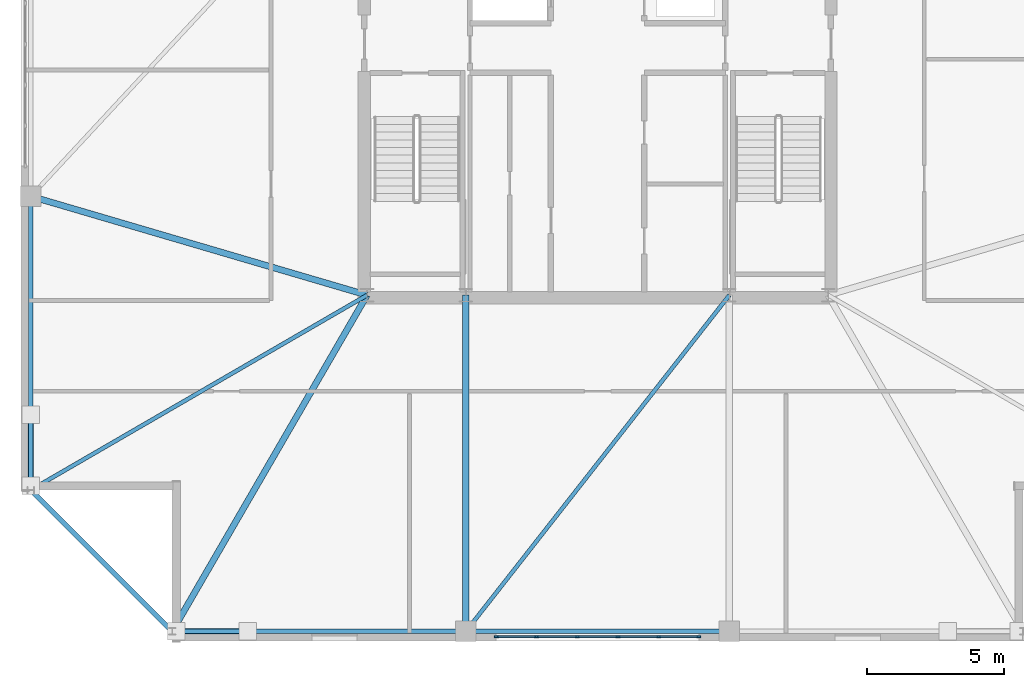
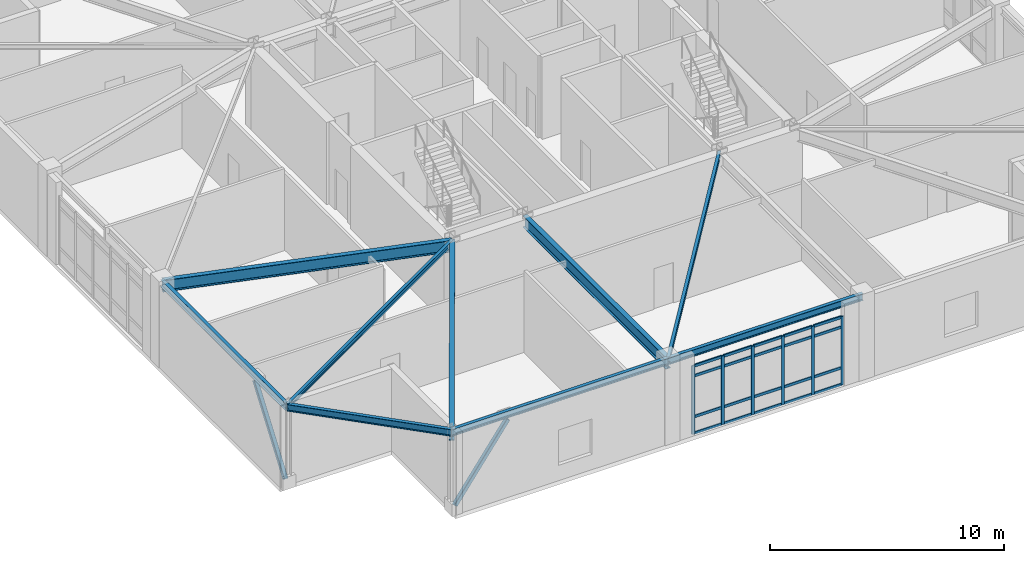
# One storey, part 6 of 16: 28 members, 9 beams, 1 element without a shape of its own.
"""IFC4 building model written with IfcOpenShell, lengths in metres."""

from ifc_helpers import new_model, si_unit, direction, frame, origin, origin_2d, place, context, subcontext, project, spatial, rectangle, hollow_rectangle, i_section, extrude, material, layer, layer_set, material_profile, profile_set, type_object, element, aggregate, save


model = new_model("IFC4")

# Units and contexts
model_context = context("Model", 3, precision=1e-05, world=origin(), true_north=direction((0.0, 1.0)))
body_context = subcontext(model_context, "Body", "Model", "MODEL_VIEW")
ifc_project = project(units=[si_unit("LENGTHUNIT", "METRE"), si_unit("AREAUNIT", "SQUARE_METRE"), si_unit("VOLUMEUNIT", "CUBIC_METRE"), si_unit("PLANEANGLEUNIT", "RADIAN"), si_unit("MASSUNIT", "GRAM", prefix="KILO")], contexts=[model_context])

# Site, building, storey
site_placement = place(None, origin())
site = spatial("IfcSite", under=ifc_project, at=site_placement, CompositionType="ELEMENT")
building_placement = place(site_placement, origin())
building = spatial("IfcBuilding", under=site, at=building_placement, Name="Cairnveth Concourse Tower", CompositionType="ELEMENT")
storey_placement = place(building_placement, frame((0.0, 0.0, 315.5)))
storey = spatial("IfcBuildingStorey", under=building, at=storey_placement, Name="L87", CompositionType="ELEMENT", Elevation=315.5)

# Curtain wall, members
ifc_material_1 = material(Name="Architectural Bronze Anodised Aluminium 6063-T6", Category="aluminium")
ifc_layer = layer(ifc_material_1, 0.300048828125)
ifc_layer_set = layer_set([ifc_layer], Name="Architectural Bronze Anodised Aluminium 6063-T6")
curtain_wall_type = type_object("IfcCurtainWallType", Name="OBSERVATION HORIZON CURTAIN WALL", PredefinedType="USERDEFINED", material=ifc_layer_set)
curtain_wall_placement = place(storey_placement, origin())
curtain_wall = element("IfcCurtainWall", 1, at=curtain_wall_placement, inside=storey, type_object=curtain_wall_type, Name="Curtain Wall CW-L87-F6", ObjectType="UNITISED FACADE", PredefinedType="USERDEFINED")
ifc_material_profile_1 = material_profile(ifc_material_1, rectangle(XDim=0.06494140625, YDim=0.14990234375, at=origin_2d()), Name="AL-MUL-65x150")
ifc_profile_set_1 = profile_set([ifc_material_profile_1], Name="Architectural Bronze Anodised Aluminium 6063-T6")
member_type_1 = type_object("IfcMemberType", Name="BRONZE CURTAIN WALL MULLION AL-MUL-65x150", PredefinedType="MULLION", material=ifc_profile_set_1)
member_1_placement = place(storey_placement, frame((55.6826171875, 18.14990234375, 0.0), z_axis=(0.0, 0.0, 1.0), x_axis=(0.0, -1.0, 0.0)))
member_1 = element("IfcMember", 2, at=member_1_placement, type_object=member_type_1, Name="CWS5 mullion 1", PredefinedType="MULLION", context=body_context, shape_type="SweptSolid", body=[
    extrude(rectangle(XDim=0.06494140625, YDim=0.14990234375, at=origin_2d()), origin(), (0.0, 0.0, 1.0), 3.577880859375),
])
member_2_placement = place(storey_placement, frame((54.22900390625, 18.14990234375, 0.0), z_axis=(0.0, 0.0, 1.0), x_axis=(0.0, -1.0, 0.0)))
member_2 = element("IfcMember", 3, at=member_2_placement, type_object=member_type_1, Name="CWS5 mullion 2", PredefinedType="MULLION", context=body_context, shape_type="SweptSolid", body=[
    extrude(rectangle(XDim=0.06494140625, YDim=0.14990234375, at=origin_2d()), origin(), (0.0, 0.0, 1.0), 3.577880859375),
])
member_3_placement = place(storey_placement, frame((52.742919921875, 18.14990234375, 0.0), z_axis=(0.0, 0.0, 1.0), x_axis=(0.0, -1.0, 0.0)))
member_3 = element("IfcMember", 4, at=member_3_placement, type_object=member_type_1, Name="CWS5 mullion 3", PredefinedType="MULLION", context=body_context, shape_type="SweptSolid", body=[
    extrude(rectangle(XDim=0.06494140625, YDim=0.14990234375, at=origin_2d()), origin(), (0.0, 0.0, 1.0), 3.577880859375),
])
member_4_placement = place(storey_placement, frame((51.257080078125, 18.14990234375, 0.0), z_axis=(0.0, 0.0, 1.0), x_axis=(0.0, -1.0, 0.0)))
member_4 = element("IfcMember", 5, at=member_4_placement, type_object=member_type_1, Name="CWS5 mullion 4", PredefinedType="MULLION", context=body_context, shape_type="SweptSolid", body=[
    extrude(rectangle(XDim=0.06494140625, YDim=0.14990234375, at=origin_2d()), origin(), (0.0, 0.0, 1.0), 3.577880859375),
])
member_5_placement = place(storey_placement, frame((49.77099609375, 18.14990234375, 0.0), z_axis=(0.0, 0.0, 1.0), x_axis=(0.0, -1.0, 0.0)))
member_5 = element("IfcMember", 6, at=member_5_placement, type_object=member_type_1, Name="CWS5 mullion 5", PredefinedType="MULLION", context=body_context, shape_type="SweptSolid", body=[
    extrude(rectangle(XDim=0.06494140625, YDim=0.14990234375, at=origin_2d()), origin(), (0.0, 0.0, 1.0), 3.577880859375),
])
member_6_placement = place(storey_placement, frame((48.3173828125, 18.14990234375, 0.0), z_axis=(0.0, 0.0, 1.0), x_axis=(0.0, -1.0, 0.0)))
member_6 = element("IfcMember", 7, at=member_6_placement, type_object=member_type_1, Name="CWS5 mullion 6", PredefinedType="MULLION", context=body_context, shape_type="SweptSolid", body=[
    extrude(rectangle(XDim=0.06494140625, YDim=0.14990234375, at=origin_2d()), origin(), (0.0, 0.0, 1.0), 3.577880859375),
])
ifc_material_profile_2 = material_profile(ifc_material_1, rectangle(XDim=0.06494140625, YDim=0.139892578125, at=origin_2d()), Name="AL-TRN-65x140")
ifc_profile_set_2 = profile_set([ifc_material_profile_2], Name="Architectural Bronze Anodised Aluminium 6063-T6")
member_type_2 = type_object("IfcMemberType", Name="BRONZE CURTAIN WALL TRANSOM AL-TRN-65x140", PredefinedType="USERDEFINED", material=ifc_profile_set_2)
member_7_placement = place(storey_placement, frame((55.64990234375, 18.14990234375, 0.032470703125), z_axis=(-1.0, 0.0, 0.0), x_axis=(0.0, -1.0, 0.0)))
member_7 = element("IfcMember", 8, at=member_7_placement, type_object=member_type_2, Name="CWS5 transom 1.1", ObjectType="TRANSOM", PredefinedType="USERDEFINED", context=body_context, shape_type="SweptSolid", body=[
    extrude(rectangle(XDim=0.06494140625, YDim=0.139892578125, at=origin_2d()), origin(), (0.0, 0.0, 1.0), 1.388427734375),
])
member_8_placement = place(storey_placement, frame((55.64990234375, 18.14990234375, 0.89990234375), z_axis=(-1.0, 0.0, 0.0), x_axis=(0.0, -1.0, 0.0)))
member_8 = element("IfcMember", 9, at=member_8_placement, type_object=member_type_2, Name="CWS5 transom 1.2", ObjectType="TRANSOM", PredefinedType="USERDEFINED", context=body_context, shape_type="SweptSolid", body=[
    extrude(rectangle(XDim=0.06494140625, YDim=0.139892578125, at=origin_2d()), origin(), (0.0, 0.0, 1.0), 1.388427734375),
])
member_9_placement = place(storey_placement, frame((55.64990234375, 18.14990234375, 3.028076171875), z_axis=(-1.0, 0.0, 0.0), x_axis=(0.0, -1.0, 0.0)))
member_9 = element("IfcMember", 10, at=member_9_placement, type_object=member_type_2, Name="CWS5 transom 1.3", ObjectType="TRANSOM", PredefinedType="USERDEFINED", context=body_context, shape_type="SweptSolid", body=[
    extrude(rectangle(XDim=0.06494140625, YDim=0.139892578125, at=origin_2d()), origin(), (0.0, 0.0, 1.0), 1.388427734375),
])
member_10_placement = place(storey_placement, frame((55.64990234375, 18.14990234375, 3.54541015625), z_axis=(-1.0, 0.0, 0.0), x_axis=(0.0, -1.0, 0.0)))
member_10 = element("IfcMember", 11, at=member_10_placement, type_object=member_type_2, Name="CWS5 transom 1.4", ObjectType="TRANSOM", PredefinedType="USERDEFINED", context=body_context, shape_type="SweptSolid", body=[
    extrude(rectangle(XDim=0.06494140625, YDim=0.139892578125, at=origin_2d()), origin(), (0.0, 0.0, 1.0), 1.388427734375),
])
member_11_placement = place(storey_placement, frame((54.196533203125, 18.14990234375, 0.032470703125), z_axis=(-1.0, 0.0, 0.0), x_axis=(0.0, -1.0, 0.0)))
member_11 = element("IfcMember", 12, at=member_11_placement, type_object=member_type_2, Name="CWS5 transom 2.1", ObjectType="TRANSOM", PredefinedType="USERDEFINED", context=body_context, shape_type="SweptSolid", body=[
    extrude(rectangle(XDim=0.06494140625, YDim=0.139892578125, at=origin_2d()), origin(), (0.0, 0.0, 1.0), 1.421142578125),
])
member_12_placement = place(storey_placement, frame((54.196533203125, 18.14990234375, 0.89990234375), z_axis=(-1.0, 0.0, 0.0), x_axis=(0.0, -1.0, 0.0)))
member_12 = element("IfcMember", 13, at=member_12_placement, type_object=member_type_2, Name="CWS5 transom 2.2", ObjectType="TRANSOM", PredefinedType="USERDEFINED", context=body_context, shape_type="SweptSolid", body=[
    extrude(rectangle(XDim=0.06494140625, YDim=0.139892578125, at=origin_2d()), origin(), (0.0, 0.0, 1.0), 1.421142578125),
])
member_13_placement = place(storey_placement, frame((54.196533203125, 18.14990234375, 3.028076171875), z_axis=(-1.0, 0.0, 0.0), x_axis=(0.0, -1.0, 0.0)))
member_13 = element("IfcMember", 14, at=member_13_placement, type_object=member_type_2, Name="CWS5 transom 2.3", ObjectType="TRANSOM", PredefinedType="USERDEFINED", context=body_context, shape_type="SweptSolid", body=[
    extrude(rectangle(XDim=0.06494140625, YDim=0.139892578125, at=origin_2d()), origin(), (0.0, 0.0, 1.0), 1.421142578125),
])
member_14_placement = place(storey_placement, frame((54.196533203125, 18.14990234375, 3.54541015625), z_axis=(-1.0, 0.0, 0.0), x_axis=(0.0, -1.0, 0.0)))
member_14 = element("IfcMember", 15, at=member_14_placement, type_object=member_type_2, Name="CWS5 transom 2.4", ObjectType="TRANSOM", PredefinedType="USERDEFINED", context=body_context, shape_type="SweptSolid", body=[
    extrude(rectangle(XDim=0.06494140625, YDim=0.139892578125, at=origin_2d()), origin(), (0.0, 0.0, 1.0), 1.421142578125),
])
member_15_placement = place(storey_placement, frame((52.71044921875, 18.14990234375, 0.032470703125), z_axis=(-1.0, 0.0, 0.0), x_axis=(0.0, -1.0, 0.0)))
member_15 = element("IfcMember", 16, at=member_15_placement, type_object=member_type_2, Name="CWS5 transom 3.1", ObjectType="TRANSOM", PredefinedType="USERDEFINED", context=body_context, shape_type="SweptSolid", body=[
    extrude(rectangle(XDim=0.06494140625, YDim=0.139892578125, at=origin_2d()), origin(), (0.0, 0.0, 1.0), 1.4208984375),
])
member_16_placement = place(storey_placement, frame((52.71044921875, 18.14990234375, 0.89990234375), z_axis=(-1.0, 0.0, 0.0), x_axis=(0.0, -1.0, 0.0)))
member_16 = element("IfcMember", 17, at=member_16_placement, type_object=member_type_2, Name="CWS5 transom 3.2", ObjectType="TRANSOM", PredefinedType="USERDEFINED", context=body_context, shape_type="SweptSolid", body=[
    extrude(rectangle(XDim=0.06494140625, YDim=0.139892578125, at=origin_2d()), origin(), (0.0, 0.0, 1.0), 1.4208984375),
])
member_17_placement = place(storey_placement, frame((52.71044921875, 18.14990234375, 3.028076171875), z_axis=(-1.0, 0.0, 0.0), x_axis=(0.0, -1.0, 0.0)))
member_17 = element("IfcMember", 18, at=member_17_placement, type_object=member_type_2, Name="CWS5 transom 3.3", ObjectType="TRANSOM", PredefinedType="USERDEFINED", context=body_context, shape_type="SweptSolid", body=[
    extrude(rectangle(XDim=0.06494140625, YDim=0.139892578125, at=origin_2d()), origin(), (0.0, 0.0, 1.0), 1.4208984375),
])
member_18_placement = place(storey_placement, frame((52.71044921875, 18.14990234375, 3.54541015625), z_axis=(-1.0, 0.0, 0.0), x_axis=(0.0, -1.0, 0.0)))
member_18 = element("IfcMember", 19, at=member_18_placement, type_object=member_type_2, Name="CWS5 transom 3.4", ObjectType="TRANSOM", PredefinedType="USERDEFINED", context=body_context, shape_type="SweptSolid", body=[
    extrude(rectangle(XDim=0.06494140625, YDim=0.139892578125, at=origin_2d()), origin(), (0.0, 0.0, 1.0), 1.4208984375),
])
member_19_placement = place(storey_placement, frame((51.224609375, 18.14990234375, 0.032470703125), z_axis=(-1.0, 0.0, 0.0), x_axis=(0.0, -1.0, 0.0)))
member_19 = element("IfcMember", 20, at=member_19_placement, type_object=member_type_2, Name="CWS5 transom 4.1", ObjectType="TRANSOM", PredefinedType="USERDEFINED", context=body_context, shape_type="SweptSolid", body=[
    extrude(rectangle(XDim=0.06494140625, YDim=0.139892578125, at=origin_2d()), origin(), (0.0, 0.0, 1.0), 1.421142578125),
])
member_20_placement = place(storey_placement, frame((51.224609375, 18.14990234375, 0.89990234375), z_axis=(-1.0, 0.0, 0.0), x_axis=(0.0, -1.0, 0.0)))
member_20 = element("IfcMember", 21, at=member_20_placement, type_object=member_type_2, Name="CWS5 transom 4.2", ObjectType="TRANSOM", PredefinedType="USERDEFINED", context=body_context, shape_type="SweptSolid", body=[
    extrude(rectangle(XDim=0.06494140625, YDim=0.139892578125, at=origin_2d()), origin(), (0.0, 0.0, 1.0), 1.421142578125),
])
member_21_placement = place(storey_placement, frame((51.224609375, 18.14990234375, 3.028076171875), z_axis=(-1.0, 0.0, 0.0), x_axis=(0.0, -1.0, 0.0)))
member_21 = element("IfcMember", 22, at=member_21_placement, type_object=member_type_2, Name="CWS5 transom 4.3", ObjectType="TRANSOM", PredefinedType="USERDEFINED", context=body_context, shape_type="SweptSolid", body=[
    extrude(rectangle(XDim=0.06494140625, YDim=0.139892578125, at=origin_2d()), origin(), (0.0, 0.0, 1.0), 1.421142578125),
])
member_22_placement = place(storey_placement, frame((51.224609375, 18.14990234375, 3.54541015625), z_axis=(-1.0, 0.0, 0.0), x_axis=(0.0, -1.0, 0.0)))
member_22 = element("IfcMember", 23, at=member_22_placement, type_object=member_type_2, Name="CWS5 transom 4.4", ObjectType="TRANSOM", PredefinedType="USERDEFINED", context=body_context, shape_type="SweptSolid", body=[
    extrude(rectangle(XDim=0.06494140625, YDim=0.139892578125, at=origin_2d()), origin(), (0.0, 0.0, 1.0), 1.421142578125),
])
member_23_placement = place(storey_placement, frame((49.738525390625, 18.14990234375, 0.032470703125), z_axis=(-1.0, 0.0, 0.0), x_axis=(0.0, -1.0, 0.0)))
member_23 = element("IfcMember", 24, at=member_23_placement, type_object=member_type_2, Name="CWS5 transom 5.1", ObjectType="TRANSOM", PredefinedType="USERDEFINED", context=body_context, shape_type="SweptSolid", body=[
    extrude(rectangle(XDim=0.06494140625, YDim=0.139892578125, at=origin_2d()), origin(), (0.0, 0.0, 1.0), 1.388427734375),
])
member_24_placement = place(storey_placement, frame((49.738525390625, 18.14990234375, 0.89990234375), z_axis=(-1.0, 0.0, 0.0), x_axis=(0.0, -1.0, 0.0)))
member_24 = element("IfcMember", 25, at=member_24_placement, type_object=member_type_2, Name="CWS5 transom 5.2", ObjectType="TRANSOM", PredefinedType="USERDEFINED", context=body_context, shape_type="SweptSolid", body=[
    extrude(rectangle(XDim=0.06494140625, YDim=0.139892578125, at=origin_2d()), origin(), (0.0, 0.0, 1.0), 1.388427734375),
])
member_25_placement = place(storey_placement, frame((49.738525390625, 18.14990234375, 3.028076171875), z_axis=(-1.0, 0.0, 0.0), x_axis=(0.0, -1.0, 0.0)))
member_25 = element("IfcMember", 26, at=member_25_placement, type_object=member_type_2, Name="CWS5 transom 5.3", ObjectType="TRANSOM", PredefinedType="USERDEFINED", context=body_context, shape_type="SweptSolid", body=[
    extrude(rectangle(XDim=0.06494140625, YDim=0.139892578125, at=origin_2d()), origin(), (0.0, 0.0, 1.0), 1.388427734375),
])
member_26_placement = place(storey_placement, frame((49.738525390625, 18.14990234375, 3.54541015625), z_axis=(-1.0, 0.0, 0.0), x_axis=(0.0, -1.0, 0.0)))
member_26 = element("IfcMember", 27, at=member_26_placement, type_object=member_type_2, Name="CWS5 transom 5.4", ObjectType="TRANSOM", PredefinedType="USERDEFINED", context=body_context, shape_type="SweptSolid", body=[
    extrude(rectangle(XDim=0.06494140625, YDim=0.139892578125, at=origin_2d()), origin(), (0.0, 0.0, 1.0), 1.388427734375),
])
aggregate(curtain_wall, [member_1, member_2, member_3, member_4, member_5, member_6, member_7, member_8, member_9, member_10, member_11, member_12, member_13, member_14, member_15, member_16, member_17, member_18, member_19, member_20, member_21, member_22, member_23, member_24, member_25, member_26])

# Beams
ifc_material_2 = material(Name="Steel Grade 350", Category="steel")
ifc_material_profile_3 = material_profile(ifc_material_2, i_section(OverallWidth=0.14599609375, OverallDepth=0.256103515625, WebThickness=0.00634765625, FlangeThickness=0.010986328125, FilletRadius=0.009033203125, at=origin_2d()), Name="250UB37.3")
ifc_profile_set_3 = profile_set([ifc_material_profile_3], Name="Steel Grade 350")
beam_type_1 = type_object("IfcBeamType", Name="ZONE 4 FLOOR JOIST 250UB37.3", PredefinedType="JOIST", material=ifc_profile_set_3)
beam_1_placement = place(storey_placement, frame((31.35009765625, 23.5, 4.162109375), z_axis=(0.86518141842, 0.501458984584, 0.0), x_axis=(-0.501458984584, 0.86518141842, 0.0)))
element("IfcBeam", 28, at=beam_1_placement, inside=storey, type_object=beam_type_1, Name="Beam FJ-CSW2 L87", PredefinedType="JOIST", context=body_context, shape_type="SweptSolid", body=[
    extrude(i_section(OverallWidth=0.14599609375, OverallDepth=0.256103515625, WebThickness=0.00634765625, FlangeThickness=0.010986328125, FilletRadius=0.009033203125, at=origin_2d()), origin(), (0.0, 0.0, 1.0), 14.158935546875),
])
beam_2_placement = place(storey_placement, frame((47.199951171875, 18.35009765625, 4.162109375), z_axis=(0.616831762718, 0.787095023807, 0.0), x_axis=(-0.787095023807, 0.616831762718, 0.0)))
element("IfcBeam", 29, at=beam_2_placement, inside=storey, type_object=beam_type_1, Name="Beam FJ-S-M1 L87", PredefinedType="JOIST", context=body_context, shape_type="SweptSolid", body=[
    extrude(i_section(OverallWidth=0.14599609375, OverallDepth=0.256103515625, WebThickness=0.00634765625, FlangeThickness=0.010986328125, FilletRadius=0.009033203125, at=origin_2d()), origin(), (0.0, 0.0, 1.0), 15.5634765625),
])

# Members
ifc_material_3 = material(Name="Steel C350L0 (350 MPa)", Category="steel")
ifc_material_profile_4 = material_profile(ifc_material_3, hollow_rectangle(XDim=0.199951171875, YDim=0.199951171875, WallThickness=0.012451171875, InnerFilletRadius=0.012939453125, OuterFilletRadius=0.02490234375, at=origin_2d()), Name="200x200x12.5SHS")
ifc_profile_set_4 = profile_set([ifc_material_profile_4], Name="Steel C350L0 (350 MPa)")
member_type_3 = type_object("IfcMemberType", Name="ZONE 4 PIER BRACE 200X200X12.5SHS", PredefinedType="BRACE", material=ifc_profile_set_4)
for number, where, z_axis, x_axis, name in (
    (30, (36.64990234375, 18.35009765625, 0.25), (0.586565875469, 0.0, 0.809901521011), (0.0, 1.0, 0.0), "Structural Brace PB-S1 L87"),
    (31, (31.35009765625, 23.64990234375, 0.25), (0.0, 0.586565875469, 0.809901521011), (-1.0, 0.0, 0.0), "Structural Brace PB-W1 L87"),
):
    element("IfcMember", number, at=place(storey_placement, frame(where, z_axis=z_axis, x_axis=x_axis)), inside=storey, type_object=member_type_3, Name=name, PredefinedType="BRACE", context=body_context, shape_type="SweptSolid", body=[
        extrude(hollow_rectangle(XDim=0.199951171875, YDim=0.199951171875, WallThickness=0.012451171875, InnerFilletRadius=0.012939453125, OuterFilletRadius=0.02490234375, at=origin_2d()), origin(), (0.0, 0.0, 1.0), 4.432861328125),
    ])

# Beams
ifc_material_profile_5 = material_profile(ifc_material_2, i_section(OverallWidth=0.22900390625, OverallDepth=0.612060546875, WebThickness=0.011962890625, FlangeThickness=0.01953125, FilletRadius=0.013916015625, at=origin_2d()), Name="610UB125")
ifc_profile_set_5 = profile_set([ifc_material_profile_5], Name="Steel Grade 350")
beam_type_2 = type_object("IfcBeamType", Name="ZONE 4 RADIAL GIRDER 610UB125", PredefinedType="BEAM", material=ifc_profile_set_5)
beam_3_placement = place(storey_placement, frame((47.199951171875, 18.35009765625, 3.98388671875), z_axis=(0.0, 1.0, 0.0), x_axis=(-1.0, 0.0, 0.0)))
element("IfcBeam", 32, at=beam_3_placement, inside=storey, type_object=beam_type_2, Name="Beam RG-S1 L87", PredefinedType="BEAM", context=body_context, shape_type="SweptSolid", body=[
    extrude(i_section(OverallWidth=0.22900390625, OverallDepth=0.612060546875, WebThickness=0.011962890625, FlangeThickness=0.01953125, FilletRadius=0.013916015625, at=origin_2d()), origin(), (0.0, 0.0, 1.0), 12.25),
])
beam_4_placement = place(storey_placement, frame((31.35009765625, 34.199951171875, 3.98388671875), z_axis=(0.959430938842, -0.281943741893, 0.0), x_axis=(0.281943741893, 0.959430938842, 0.0)))
element("IfcBeam", 33, at=beam_4_placement, inside=storey, type_object=beam_type_2, Name="Beam RG-W1 L87", PredefinedType="BEAM", context=body_context, shape_type="SweptSolid", body=[
    extrude(i_section(OverallWidth=0.22900390625, OverallDepth=0.612060546875, WebThickness=0.011962890625, FlangeThickness=0.01953125, FilletRadius=0.013916015625, at=origin_2d()), origin(), (0.0, 0.0, 1.0), 12.76806640625),
])
beam_5_placement = place(storey_placement, frame((36.5, 18.35009765625, 3.98388671875), z_axis=(0.501458984584, 0.86518141842, 0.0), x_axis=(-0.86518141842, 0.501458984584, 0.0)))
element("IfcBeam", 34, at=beam_5_placement, inside=storey, type_object=beam_type_2, Name="Beam RG-CSW L87", PredefinedType="BEAM", context=body_context, shape_type="SweptSolid", body=[
    extrude(i_section(OverallWidth=0.22900390625, OverallDepth=0.612060546875, WebThickness=0.011962890625, FlangeThickness=0.01953125, FilletRadius=0.013916015625, at=origin_2d()), origin(), (0.0, 0.0, 1.0), 14.158935546875),
])
ifc_material_profile_6 = material_profile(ifc_material_2, i_section(OverallWidth=0.172119140625, OverallDepth=0.35888671875, WebThickness=0.008056640625, FlangeThickness=0.012939453125, FilletRadius=0.010986328125, at=origin_2d()), Name="360UB56.7")
ifc_profile_set_6 = profile_set([ifc_material_profile_6], Name="Steel Grade 350")
beam_type_3 = type_object("IfcBeamType", Name="ZONE 4 SPANDREL BEAM 360UB56.7", PredefinedType="SPANDREL", material=ifc_profile_set_6)
beam_6_placement = place(storey_placement, frame((36.5, 18.35009765625, 4.110595703125), z_axis=(1.0, 0.0, 0.0), x_axis=(0.0, 1.0, 0.0)))
element("IfcBeam", 35, at=beam_6_placement, inside=storey, type_object=beam_type_3, Name="Beam SP-S1 L87", PredefinedType="SPANDREL", context=body_context, shape_type="SweptSolid", body=[
    extrude(i_section(OverallWidth=0.172119140625, OverallDepth=0.35888671875, WebThickness=0.008056640625, FlangeThickness=0.012939453125, FilletRadius=0.010986328125, at=origin_2d()), origin(), (0.0, 0.0, 1.0), 10.699951171875),
])
beam_7_placement = place(storey_placement, frame((47.199951171875, 18.35009765625, 4.110595703125), z_axis=(1.0, 0.0, 0.0), x_axis=(0.0, 1.0, 0.0)))
element("IfcBeam", 36, at=beam_7_placement, inside=storey, type_object=beam_type_3, Name="Beam SP-S2 L87", PredefinedType="SPANDREL", context=body_context, shape_type="SweptSolid", body=[
    extrude(i_section(OverallWidth=0.172119140625, OverallDepth=0.35888671875, WebThickness=0.008056640625, FlangeThickness=0.012939453125, FilletRadius=0.010986328125, at=origin_2d()), origin(), (0.0, 0.0, 1.0), 9.60009765625),
])
beam_8_placement = place(storey_placement, frame((31.35009765625, 23.5, 4.110595703125), z_axis=(0.0, 1.0, 0.0), x_axis=(-1.0, 0.0, 0.0)))
element("IfcBeam", 37, at=beam_8_placement, inside=storey, type_object=beam_type_3, Name="Beam SP-W1 L87", PredefinedType="SPANDREL", context=body_context, shape_type="SweptSolid", body=[
    extrude(i_section(OverallWidth=0.172119140625, OverallDepth=0.35888671875, WebThickness=0.008056640625, FlangeThickness=0.012939453125, FilletRadius=0.010986328125, at=origin_2d()), origin(), (0.0, 0.0, 1.0), 10.699951171875),
])
beam_9_placement = place(storey_placement, frame((31.35009765625, 23.5, 4.110595703125), z_axis=(0.707106781187, -0.707106781187, 0.0), x_axis=(0.707106781187, 0.707106781187, 0.0)))
element("IfcBeam", 38, at=beam_9_placement, inside=storey, type_object=beam_type_3, Name="Beam SP-SW L87", PredefinedType="SPANDREL", context=body_context, shape_type="SweptSolid", body=[
    extrude(i_section(OverallWidth=0.172119140625, OverallDepth=0.35888671875, WebThickness=0.008056640625, FlangeThickness=0.012939453125, FilletRadius=0.010986328125, at=origin_2d()), origin(), (0.0, 0.0, 1.0), 7.282958984375),
])

save(model, "model.ifc")
